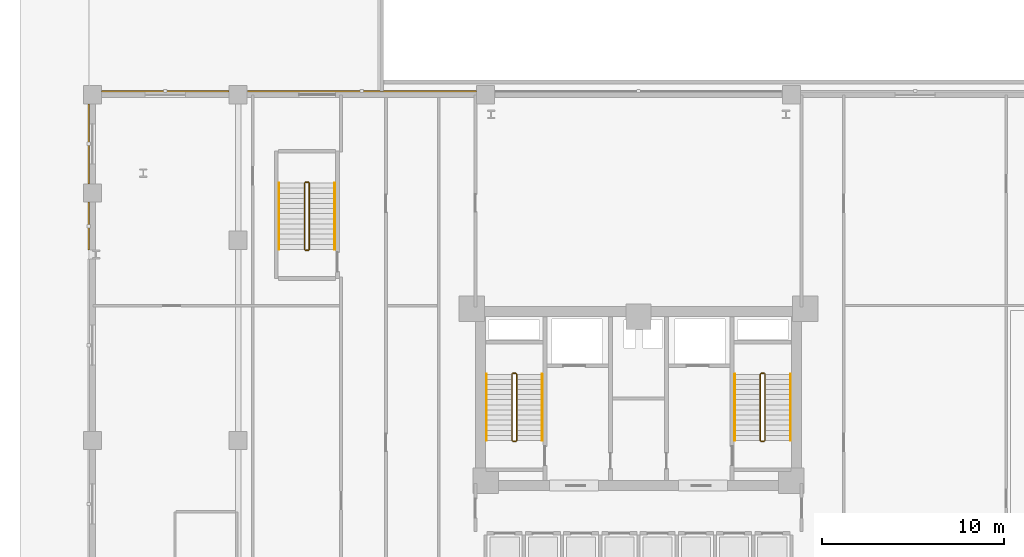
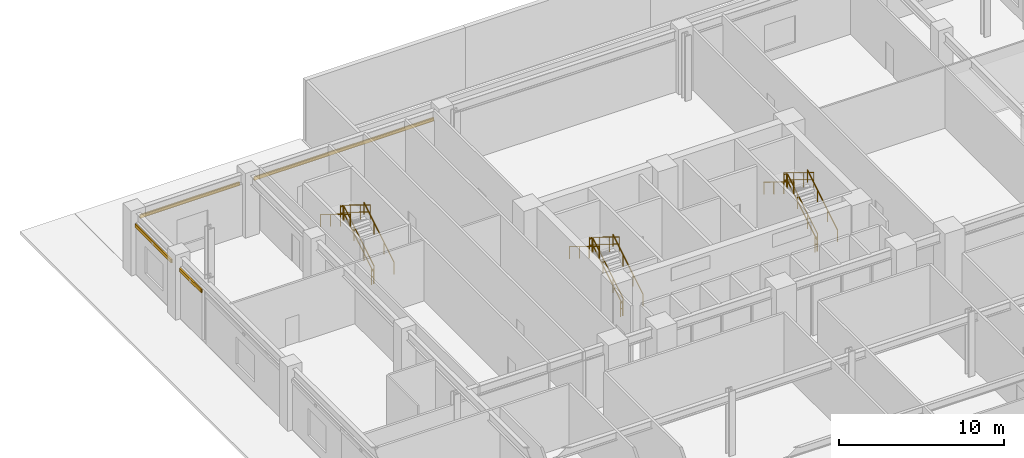
# One storey, part 36 of 40: 18 railings, 4 shading devices.
"""IFC4 building model written with IfcOpenShell, lengths in metres."""

from ifc_helpers import new_model, si_unit, derived_unit, direction, frame, origin, origin_2d, place, context, subcontext, project, spatial, hollow_rectangle, circle, extrude, source, transform, mapped, material, material_profile, profile_set, type_object, element, save


model = new_model("IFC4")

# Units and contexts
model_context = context("Model", 3, precision=1e-05, world=origin(), true_north=direction((0.0, 1.0)))
body_context = subcontext(model_context, "Body", "Model", "MODEL_VIEW")
ifc_project = project(units=[si_unit("LENGTHUNIT", "METRE"), si_unit("AREAUNIT", "SQUARE_METRE"), si_unit("VOLUMEUNIT", "CUBIC_METRE"), si_unit("PLANEANGLEUNIT", "RADIAN"), si_unit("MASSUNIT", "GRAM", prefix="KILO"), derived_unit("THERMALTRANSMITTANCEUNIT", [(si_unit("POWERUNIT", "WATT"), 1), (si_unit("LENGTHUNIT", "METRE"), -2), (si_unit("THERMODYNAMICTEMPERATUREUNIT", "KELVIN"), -1)])], contexts=[model_context])

# Site, building, storey
site_placement = place(None, origin())
site = spatial("IfcSite", under=ifc_project, at=site_placement, CompositionType="ELEMENT")
building_placement = place(site_placement, origin())
building = spatial("IfcBuilding", under=site, at=building_placement, Name="Korsvarv Bourse and Concert Hall", CompositionType="ELEMENT")
storey_placement = place(building_placement, origin())
storey = spatial("IfcBuildingStorey", under=building, at=storey_placement, Name="L00", CompositionType="ELEMENT", Elevation=0.0)

# Railings
ifc_material_1 = material(Name="Painted Steel S355 stair well guardrail", Category="steel")
railing_type_1 = type_object("IfcRailingType", Name="RL-ST-GRD", PredefinedType="GUARDRAIL", material=ifc_material_1)
railing_1_placement = place(storey_placement, frame((29.31005859375, 40.0, 0.17138671875)))
element("IfcRailing", 1, at=railing_1_placement, inside=storey, type_object=railing_type_1, Name="L00 ST-T1 stair guard 1", PredefinedType="GUARDRAIL", context=body_context, shape_type="SweptSolid", body=[
    extrude(circle(Radius=0.02392578125, at=origin_2d()), frame((0.0, 0.0, 1.076171875), z_axis=(0.0, 0.852850264322, 0.5221555579), x_axis=(-1.0, 0.0, 0.0)), (0.0, 0.0, 1.0), 4.267822265625),
    extrude(circle(Radius=0.02392578125, at=origin_2d()), frame((0.0, 0.0, 0.550048828125), z_axis=(0.0, 0.852850264322, 0.5221555579), x_axis=(-1.0, 0.0, 0.0)), (0.0, 0.0, 1.0), 4.267822265625),
    extrude(circle(Radius=0.02099609375, at=origin_2d()), origin(), (0.0, 0.0, 1.0), 1.052001953125),
    extrude(circle(Radius=0.02099609375, at=origin_2d()), frame((0.0, 1.21337890625, 0.742919921875)), (0.0, 0.0, 1.0), 1.052001953125),
    extrude(circle(Radius=0.02099609375, at=origin_2d()), frame((0.0, 2.426513671875, 1.485595703125)), (0.0, 0.0, 1.0), 1.052001953125),
    extrude(circle(Radius=0.02099609375, at=origin_2d()), frame((0.0, 3.639892578125, 2.228515625)), (0.0, 0.0, 1.0), 1.052001953125),
])
railing_2_placement = place(storey_placement, frame((29.260009765625, 43.68994140625, 2.39990234375)))
element("IfcRailing", 2, at=railing_2_placement, inside=storey, type_object=railing_type_1, Name="L00 ST-T1 stair guard 2", PredefinedType="GUARDRAIL", context=body_context, shape_type="SweptSolid", body=[
    extrude(circle(Radius=0.02392578125, at=origin_2d()), frame((0.0, 0.0, 1.076171875), z_axis=(-1.0, 0.0, 0.0), x_axis=(0.0, -1.0, 0.0)), (0.0, 0.0, 1.0), 0.159912109375),
    extrude(circle(Radius=0.02392578125, at=origin_2d()), frame((0.0, 0.0, 0.550048828125), z_axis=(-1.0, 0.0, 0.0), x_axis=(0.0, -1.0, 0.0)), (0.0, 0.0, 1.0), 0.159912109375),
    extrude(circle(Radius=0.02099609375, at=origin_2d()), origin(), (0.0, 0.0, 1.0), 1.052001953125),
    extrude(circle(Radius=0.02099609375, at=origin_2d()), frame((-0.159912109375, 0.0, 0.0)), (0.0, 0.0, 1.0), 1.052001953125),
])
railing_3_placement = place(storey_placement, frame((29.050048828125, 43.639892578125, 2.571533203125)))
element("IfcRailing", 3, at=railing_3_placement, inside=storey, type_object=railing_type_1, Name="L00 ST-T1 stair guard 3", PredefinedType="GUARDRAIL", context=body_context, shape_type="SweptSolid", body=[
    extrude(circle(Radius=0.02392578125, at=origin_2d()), frame((0.0, 0.0, 1.076171875), z_axis=(0.0, -0.852850264322, 0.5221555579), x_axis=(1.0, 0.0, 0.0)), (0.0, 0.0, 1.0), 4.267822265625),
    extrude(circle(Radius=0.02392578125, at=origin_2d()), frame((0.0, 0.0, 0.550048828125), z_axis=(0.0, -0.852850264322, 0.5221555579), x_axis=(1.0, 0.0, 0.0)), (0.0, 0.0, 1.0), 4.267822265625),
    extrude(circle(Radius=0.02099609375, at=origin_2d()), origin(), (0.0, 0.0, 1.0), 1.052001953125),
    extrude(circle(Radius=0.02099609375, at=origin_2d()), frame((0.0, -1.21337890625, 0.742919921875)), (0.0, 0.0, 1.0), 1.052001953125),
    extrude(circle(Radius=0.02099609375, at=origin_2d()), frame((0.0, -2.426513671875, 1.485595703125)), (0.0, 0.0, 1.0), 1.052001953125),
    extrude(circle(Radius=0.02099609375, at=origin_2d()), frame((0.0, -3.639892578125, 2.228515625)), (0.0, 0.0, 1.0), 1.052001953125),
])
railing_4_placement = place(storey_placement, frame((29.260009765625, 39.949951171875, 0.0)))
element("IfcRailing", 4, at=railing_4_placement, inside=storey, type_object=railing_type_1, Name="L00 ST-T1 stair guard 4", PredefinedType="GUARDRAIL", context=body_context, shape_type="SweptSolid", body=[
    extrude(circle(Radius=0.02392578125, at=origin_2d()), frame((0.0, 0.0, 1.076171875), z_axis=(-1.0, 0.0, 0.0), x_axis=(0.0, -1.0, 0.0)), (0.0, 0.0, 1.0), 0.159912109375),
    extrude(circle(Radius=0.02392578125, at=origin_2d()), frame((0.0, 0.0, 0.550048828125), z_axis=(-1.0, 0.0, 0.0), x_axis=(0.0, -1.0, 0.0)), (0.0, 0.0, 1.0), 0.159912109375),
    extrude(circle(Radius=0.02099609375, at=origin_2d()), origin(), (0.0, 0.0, 1.0), 1.052001953125),
    extrude(circle(Radius=0.02099609375, at=origin_2d()), frame((-0.159912109375, 0.0, 0.0)), (0.0, 0.0, 1.0), 1.052001953125),
])
railing_5_placement = place(storey_placement, frame((42.949951171875, 40.0, 0.17138671875)))
element("IfcRailing", 5, at=railing_5_placement, inside=storey, type_object=railing_type_1, Name="L00 ST-T2 stair guard 1", PredefinedType="GUARDRAIL", context=body_context, shape_type="SweptSolid", body=[
    extrude(circle(Radius=0.02392578125, at=origin_2d()), frame((0.0, 0.0, 1.076171875), z_axis=(0.0, 0.852850264322, 0.5221555579), x_axis=(-1.0, 0.0, 0.0)), (0.0, 0.0, 1.0), 4.267822265625),
    extrude(circle(Radius=0.02392578125, at=origin_2d()), frame((0.0, 0.0, 0.550048828125), z_axis=(0.0, 0.852850264322, 0.5221555579), x_axis=(-1.0, 0.0, 0.0)), (0.0, 0.0, 1.0), 4.267822265625),
    extrude(circle(Radius=0.02099609375, at=origin_2d()), origin(), (0.0, 0.0, 1.0), 1.052001953125),
    extrude(circle(Radius=0.02099609375, at=origin_2d()), frame((0.0, 1.21337890625, 0.742919921875)), (0.0, 0.0, 1.0), 1.052001953125),
    extrude(circle(Radius=0.02099609375, at=origin_2d()), frame((0.0, 2.426513671875, 1.485595703125)), (0.0, 0.0, 1.0), 1.052001953125),
    extrude(circle(Radius=0.02099609375, at=origin_2d()), frame((0.0, 3.639892578125, 2.228515625)), (0.0, 0.0, 1.0), 1.052001953125),
])
railing_6_placement = place(storey_placement, frame((42.89990234375, 43.68994140625, 2.39990234375)))
element("IfcRailing", 6, at=railing_6_placement, inside=storey, type_object=railing_type_1, Name="L00 ST-T2 stair guard 2", PredefinedType="GUARDRAIL", context=body_context, shape_type="SweptSolid", body=[
    extrude(circle(Radius=0.02392578125, at=origin_2d()), frame((0.0, 0.0, 1.076171875), z_axis=(-1.0, 0.0, 0.0), x_axis=(0.0, -1.0, 0.0)), (0.0, 0.0, 1.0), 0.159912109375),
    extrude(circle(Radius=0.02392578125, at=origin_2d()), frame((0.0, 0.0, 0.550048828125), z_axis=(-1.0, 0.0, 0.0), x_axis=(0.0, -1.0, 0.0)), (0.0, 0.0, 1.0), 0.159912109375),
    extrude(circle(Radius=0.02099609375, at=origin_2d()), origin(), (0.0, 0.0, 1.0), 1.052001953125),
    extrude(circle(Radius=0.02099609375, at=origin_2d()), frame((-0.159912109375, 0.0, 0.0)), (0.0, 0.0, 1.0), 1.052001953125),
])
railing_7_placement = place(storey_placement, frame((42.68994140625, 43.639892578125, 2.571533203125)))
element("IfcRailing", 7, at=railing_7_placement, inside=storey, type_object=railing_type_1, Name="L00 ST-T2 stair guard 3", PredefinedType="GUARDRAIL", context=body_context, shape_type="SweptSolid", body=[
    extrude(circle(Radius=0.02392578125, at=origin_2d()), frame((0.0, 0.0, 1.076171875), z_axis=(0.0, -0.852850264322, 0.5221555579), x_axis=(1.0, 0.0, 0.0)), (0.0, 0.0, 1.0), 4.267822265625),
    extrude(circle(Radius=0.02392578125, at=origin_2d()), frame((0.0, 0.0, 0.550048828125), z_axis=(0.0, -0.852850264322, 0.5221555579), x_axis=(1.0, 0.0, 0.0)), (0.0, 0.0, 1.0), 4.267822265625),
    extrude(circle(Radius=0.02099609375, at=origin_2d()), origin(), (0.0, 0.0, 1.0), 1.052001953125),
    extrude(circle(Radius=0.02099609375, at=origin_2d()), frame((0.0, -1.21337890625, 0.742919921875)), (0.0, 0.0, 1.0), 1.052001953125),
    extrude(circle(Radius=0.02099609375, at=origin_2d()), frame((0.0, -2.426513671875, 1.485595703125)), (0.0, 0.0, 1.0), 1.052001953125),
    extrude(circle(Radius=0.02099609375, at=origin_2d()), frame((0.0, -3.639892578125, 2.228515625)), (0.0, 0.0, 1.0), 1.052001953125),
])
railing_8_placement = place(storey_placement, frame((42.89990234375, 39.949951171875, 0.0)))
element("IfcRailing", 8, at=railing_8_placement, inside=storey, type_object=railing_type_1, Name="L00 ST-T2 stair guard 4", PredefinedType="GUARDRAIL", context=body_context, shape_type="SweptSolid", body=[
    extrude(circle(Radius=0.02392578125, at=origin_2d()), frame((0.0, 0.0, 1.076171875), z_axis=(-1.0, 0.0, 0.0), x_axis=(0.0, -1.0, 0.0)), (0.0, 0.0, 1.0), 0.159912109375),
    extrude(circle(Radius=0.02392578125, at=origin_2d()), frame((0.0, 0.0, 0.550048828125), z_axis=(-1.0, 0.0, 0.0), x_axis=(0.0, -1.0, 0.0)), (0.0, 0.0, 1.0), 0.159912109375),
    extrude(circle(Radius=0.02099609375, at=origin_2d()), origin(), (0.0, 0.0, 1.0), 1.052001953125),
    extrude(circle(Radius=0.02099609375, at=origin_2d()), frame((-0.159912109375, 0.0, 0.0)), (0.0, 0.0, 1.0), 1.052001953125),
])
railing_9_placement = place(storey_placement, frame((17.909912109375, 50.5, 0.17138671875)))
element("IfcRailing", 9, at=railing_9_placement, inside=storey, type_object=railing_type_1, Name="L00 ST-PD1 stair guard 1", PredefinedType="GUARDRAIL", context=body_context, shape_type="SweptSolid", body=[
    extrude(circle(Radius=0.02392578125, at=origin_2d()), frame((0.0, 0.0, 1.076171875), z_axis=(0.0, 0.852850264322, 0.5221555579), x_axis=(-1.0, 0.0, 0.0)), (0.0, 0.0, 1.0), 4.267822265625),
    extrude(circle(Radius=0.02392578125, at=origin_2d()), frame((0.0, 0.0, 0.550048828125), z_axis=(0.0, 0.852850264322, 0.5221555579), x_axis=(-1.0, 0.0, 0.0)), (0.0, 0.0, 1.0), 4.267822265625),
    extrude(circle(Radius=0.02099609375, at=origin_2d()), origin(), (0.0, 0.0, 1.0), 1.052001953125),
    extrude(circle(Radius=0.02099609375, at=origin_2d()), frame((0.0, 1.21337890625, 0.742919921875)), (0.0, 0.0, 1.0), 1.052001953125),
    extrude(circle(Radius=0.02099609375, at=origin_2d()), frame((0.0, 2.426513671875, 1.485595703125)), (0.0, 0.0, 1.0), 1.052001953125),
    extrude(circle(Radius=0.02099609375, at=origin_2d()), frame((0.0, 3.639892578125, 2.228515625)), (0.0, 0.0, 1.0), 1.052001953125),
])
railing_10_placement = place(storey_placement, frame((17.860107421875, 54.18994140625, 2.39990234375)))
element("IfcRailing", 10, at=railing_10_placement, inside=storey, type_object=railing_type_1, Name="L00 ST-PD1 stair guard 2", PredefinedType="GUARDRAIL", context=body_context, shape_type="SweptSolid", body=[
    extrude(circle(Radius=0.02392578125, at=origin_2d()), frame((0.0, 0.0, 1.076171875), z_axis=(-1.0, 0.0, 0.0), x_axis=(0.0, -1.0, 0.0)), (0.0, 0.0, 1.0), 0.16015625),
    extrude(circle(Radius=0.02392578125, at=origin_2d()), frame((0.0, 0.0, 0.550048828125), z_axis=(-1.0, 0.0, 0.0), x_axis=(0.0, -1.0, 0.0)), (0.0, 0.0, 1.0), 0.16015625),
    extrude(circle(Radius=0.02099609375, at=origin_2d()), origin(), (0.0, 0.0, 1.0), 1.052001953125),
    extrude(circle(Radius=0.02099609375, at=origin_2d()), frame((-0.16015625, 0.0, 0.0)), (0.0, 0.0, 1.0), 1.052001953125),
])
railing_11_placement = place(storey_placement, frame((17.64990234375, 54.139892578125, 2.571533203125)))
element("IfcRailing", 11, at=railing_11_placement, inside=storey, type_object=railing_type_1, Name="L00 ST-PD1 stair guard 3", PredefinedType="GUARDRAIL", context=body_context, shape_type="SweptSolid", body=[
    extrude(circle(Radius=0.02392578125, at=origin_2d()), frame((0.0, 0.0, 1.076171875), z_axis=(0.0, -0.852850264322, 0.5221555579), x_axis=(1.0, 0.0, 0.0)), (0.0, 0.0, 1.0), 4.267822265625),
    extrude(circle(Radius=0.02392578125, at=origin_2d()), frame((0.0, 0.0, 0.550048828125), z_axis=(0.0, -0.852850264322, 0.5221555579), x_axis=(1.0, 0.0, 0.0)), (0.0, 0.0, 1.0), 4.267822265625),
    extrude(circle(Radius=0.02099609375, at=origin_2d()), origin(), (0.0, 0.0, 1.0), 1.052001953125),
    extrude(circle(Radius=0.02099609375, at=origin_2d()), frame((0.0, -1.21337890625, 0.742919921875)), (0.0, 0.0, 1.0), 1.052001953125),
    extrude(circle(Radius=0.02099609375, at=origin_2d()), frame((0.0, -2.426513671875, 1.485595703125)), (0.0, 0.0, 1.0), 1.052001953125),
    extrude(circle(Radius=0.02099609375, at=origin_2d()), frame((0.0, -3.639892578125, 2.228515625)), (0.0, 0.0, 1.0), 1.052001953125),
])
railing_12_placement = place(storey_placement, frame((17.860107421875, 50.449951171875, 0.0)))
element("IfcRailing", 12, at=railing_12_placement, inside=storey, type_object=railing_type_1, Name="L00 ST-PD1 stair guard 4", PredefinedType="GUARDRAIL", context=body_context, shape_type="SweptSolid", body=[
    extrude(circle(Radius=0.02392578125, at=origin_2d()), frame((0.0, 0.0, 1.076171875), z_axis=(-1.0, 0.0, 0.0), x_axis=(0.0, -1.0, 0.0)), (0.0, 0.0, 1.0), 0.16015625),
    extrude(circle(Radius=0.02392578125, at=origin_2d()), frame((0.0, 0.0, 0.550048828125), z_axis=(-1.0, 0.0, 0.0), x_axis=(0.0, -1.0, 0.0)), (0.0, 0.0, 1.0), 0.16015625),
    extrude(circle(Radius=0.02099609375, at=origin_2d()), origin(), (0.0, 0.0, 1.0), 1.052001953125),
    extrude(circle(Radius=0.02099609375, at=origin_2d()), frame((-0.16015625, 0.0, 0.0)), (0.0, 0.0, 1.0), 1.052001953125),
])
ifc_material_2 = material(Name="Brushed stainless Steel S355 tubular handrail", Category="steel")
railing_type_2 = type_object("IfcRailingType", Name="RL-ST-HND", PredefinedType="HANDRAIL", material=ifc_material_2)
railing_13_placement = place(storey_placement, frame((30.7099609375, 40.0, 0.17138671875)))
element("IfcRailing", 13, at=railing_13_placement, inside=storey, type_object=railing_type_2, Name="L00 ST-T1 stair handrail 1", PredefinedType="HANDRAIL", context=body_context, shape_type="SweptSolid", body=[
    extrude(circle(Radius=0.02392578125, at=origin_2d()), frame((0.0, 0.0, 0.8759765625), z_axis=(0.0, 0.852850264322, 0.5221555579), x_axis=(-1.0, 0.0, 0.0)), (0.0, 0.0, 1.0), 4.267822265625),
    extrude(circle(Radius=0.02099609375, at=origin_2d()), origin(), (0.0, 0.0, 1.0), 0.851806640625),
    extrude(circle(Radius=0.02099609375, at=origin_2d()), frame((0.0, 1.21337890625, 0.742919921875)), (0.0, 0.0, 1.0), 0.851806640625),
    extrude(circle(Radius=0.02099609375, at=origin_2d()), frame((0.0, 2.426513671875, 1.485595703125)), (0.0, 0.0, 1.0), 0.851806640625),
    extrude(circle(Radius=0.02099609375, at=origin_2d()), frame((0.0, 3.639892578125, 2.228515625)), (0.0, 0.0, 1.0), 0.851806640625),
])
railing_14_placement = place(storey_placement, frame((27.64990234375, 43.639892578125, 2.571533203125)))
element("IfcRailing", 14, at=railing_14_placement, inside=storey, type_object=railing_type_2, Name="L00 ST-T1 stair handrail 2", PredefinedType="HANDRAIL", context=body_context, shape_type="SweptSolid", body=[
    extrude(circle(Radius=0.02392578125, at=origin_2d()), frame((0.0, 0.0, 0.8759765625), z_axis=(0.0, -0.852850264322, 0.5221555579), x_axis=(1.0, 0.0, 0.0)), (0.0, 0.0, 1.0), 4.267822265625),
    extrude(circle(Radius=0.02099609375, at=origin_2d()), origin(), (0.0, 0.0, 1.0), 0.851806640625),
    extrude(circle(Radius=0.02099609375, at=origin_2d()), frame((0.0, -1.21337890625, 0.742919921875)), (0.0, 0.0, 1.0), 0.851806640625),
    extrude(circle(Radius=0.02099609375, at=origin_2d()), frame((0.0, -2.426513671875, 1.485595703125)), (0.0, 0.0, 1.0), 0.851806640625),
    extrude(circle(Radius=0.02099609375, at=origin_2d()), frame((0.0, -3.639892578125, 2.228515625)), (0.0, 0.0, 1.0), 0.851806640625),
])
railing_15_placement = place(storey_placement, frame((44.35009765625, 40.0, 0.17138671875)))
element("IfcRailing", 15, at=railing_15_placement, inside=storey, type_object=railing_type_2, Name="L00 ST-T2 stair handrail 1", PredefinedType="HANDRAIL", context=body_context, shape_type="SweptSolid", body=[
    extrude(circle(Radius=0.02392578125, at=origin_2d()), frame((0.0, 0.0, 0.8759765625), z_axis=(0.0, 0.852850264322, 0.5221555579), x_axis=(-1.0, 0.0, 0.0)), (0.0, 0.0, 1.0), 4.267822265625),
    extrude(circle(Radius=0.02099609375, at=origin_2d()), origin(), (0.0, 0.0, 1.0), 0.851806640625),
    extrude(circle(Radius=0.02099609375, at=origin_2d()), frame((0.0, 1.21337890625, 0.742919921875)), (0.0, 0.0, 1.0), 0.851806640625),
    extrude(circle(Radius=0.02099609375, at=origin_2d()), frame((0.0, 2.426513671875, 1.485595703125)), (0.0, 0.0, 1.0), 0.851806640625),
    extrude(circle(Radius=0.02099609375, at=origin_2d()), frame((0.0, 3.639892578125, 2.228515625)), (0.0, 0.0, 1.0), 0.851806640625),
])
railing_16_placement = place(storey_placement, frame((41.2900390625, 43.639892578125, 2.571533203125)))
element("IfcRailing", 16, at=railing_16_placement, inside=storey, type_object=railing_type_2, Name="L00 ST-T2 stair handrail 2", PredefinedType="HANDRAIL", context=body_context, shape_type="SweptSolid", body=[
    extrude(circle(Radius=0.02392578125, at=origin_2d()), frame((0.0, 0.0, 0.8759765625), z_axis=(0.0, -0.852850264322, 0.5221555579), x_axis=(1.0, 0.0, 0.0)), (0.0, 0.0, 1.0), 4.267822265625),
    extrude(circle(Radius=0.02099609375, at=origin_2d()), origin(), (0.0, 0.0, 1.0), 0.851806640625),
    extrude(circle(Radius=0.02099609375, at=origin_2d()), frame((0.0, -1.21337890625, 0.742919921875)), (0.0, 0.0, 1.0), 0.851806640625),
    extrude(circle(Radius=0.02099609375, at=origin_2d()), frame((0.0, -2.426513671875, 1.485595703125)), (0.0, 0.0, 1.0), 0.851806640625),
    extrude(circle(Radius=0.02099609375, at=origin_2d()), frame((0.0, -3.639892578125, 2.228515625)), (0.0, 0.0, 1.0), 0.851806640625),
])
railing_17_placement = place(storey_placement, frame((19.31005859375, 50.5, 0.17138671875)))
element("IfcRailing", 17, at=railing_17_placement, inside=storey, type_object=railing_type_2, Name="L00 ST-PD1 stair handrail 1", PredefinedType="HANDRAIL", context=body_context, shape_type="SweptSolid", body=[
    extrude(circle(Radius=0.02392578125, at=origin_2d()), frame((0.0, 0.0, 0.8759765625), z_axis=(0.0, 0.852850264322, 0.5221555579), x_axis=(-1.0, 0.0, 0.0)), (0.0, 0.0, 1.0), 4.267822265625),
    extrude(circle(Radius=0.02099609375, at=origin_2d()), origin(), (0.0, 0.0, 1.0), 0.851806640625),
    extrude(circle(Radius=0.02099609375, at=origin_2d()), frame((0.0, 1.21337890625, 0.742919921875)), (0.0, 0.0, 1.0), 0.851806640625),
    extrude(circle(Radius=0.02099609375, at=origin_2d()), frame((0.0, 2.426513671875, 1.485595703125)), (0.0, 0.0, 1.0), 0.851806640625),
    extrude(circle(Radius=0.02099609375, at=origin_2d()), frame((0.0, 3.639892578125, 2.228515625)), (0.0, 0.0, 1.0), 0.851806640625),
])
railing_18_placement = place(storey_placement, frame((16.25, 54.139892578125, 2.571533203125)))
element("IfcRailing", 18, at=railing_18_placement, inside=storey, type_object=railing_type_2, Name="L00 ST-PD1 stair handrail 2", PredefinedType="HANDRAIL", context=body_context, shape_type="SweptSolid", body=[
    extrude(circle(Radius=0.02392578125, at=origin_2d()), frame((0.0, 0.0, 0.8759765625), z_axis=(0.0, -0.852850264322, 0.5221555579), x_axis=(1.0, 0.0, 0.0)), (0.0, 0.0, 1.0), 4.267822265625),
    extrude(circle(Radius=0.02099609375, at=origin_2d()), origin(), (0.0, 0.0, 1.0), 0.851806640625),
    extrude(circle(Radius=0.02099609375, at=origin_2d()), frame((0.0, -1.21337890625, 0.742919921875)), (0.0, 0.0, 1.0), 0.851806640625),
    extrude(circle(Radius=0.02099609375, at=origin_2d()), frame((0.0, -2.426513671875, 1.485595703125)), (0.0, 0.0, 1.0), 0.851806640625),
    extrude(circle(Radius=0.02099609375, at=origin_2d()), frame((0.0, -3.639892578125, 2.228515625)), (0.0, 0.0, 1.0), 0.851806640625),
])

# Shading devices
ifc_material_3 = material(Name="Glazed extruded architectural terracotta", Category="ceramic")
ifc_material_profile = material_profile(ifc_material_3, hollow_rectangle(XDim=0.090087890625, YDim=0.260009765625, WallThickness=0.011962890625, at=origin_2d()), Name="TC-BAG 90x260")
ifc_profile_set = profile_set([ifc_material_profile], Name="Glazed extruded architectural terracotta")
shading_device_type = type_object("IfcShadingDeviceType", Name="SHD-BAG-1", PredefinedType="USERDEFINED", material=ifc_profile_set)
shared_shape_1 = source(origin(), body_context, "Body", "SweptSolid", [
    extrude(hollow_rectangle(XDim=0.090087890625, YDim=0.260009765625, WallThickness=0.011962890625, at=origin_2d()), origin(), (0.0, 0.0, 1.0), 12.590087890625),
])
shading_device_1_placement = place(storey_placement, frame((14.5048828125, 59.195068359375, 3.659912109375), z_axis=(1.0, 0.0, 0.0), x_axis=(0.0, 1.0, 0.0)))
element("IfcShadingDevice", 19, at=shading_device_1_placement, inside=storey, type_object=shading_device_type, Name="L00 terracotta baguette sunshade EW-L00-N2", ObjectType="BAGUETTE", PredefinedType="USERDEFINED", context=body_context, shape_type="MappedRepresentation", body=[
    mapped(shared_shape_1, transform((0.0, 0.0, 0.0), scale=1.0)),
])
shared_shape_2 = source(origin(), body_context, "Body", "SweptSolid", [
    extrude(hollow_rectangle(XDim=0.090087890625, YDim=0.260009765625, WallThickness=0.011962890625, at=origin_2d()), origin(), (0.0, 0.0, 1.0), 6.990234375),
])
shading_device_2_placement = place(storey_placement, frame((6.5048828125, 59.195068359375, 3.659912109375), z_axis=(1.0, 0.0, 0.0), x_axis=(0.0, 1.0, 0.0)))
element("IfcShadingDevice", 20, at=shading_device_2_placement, inside=storey, type_object=shading_device_type, Name="L00 terracotta baguette sunshade EW-L00-N1", ObjectType="BAGUETTE", PredefinedType="USERDEFINED", context=body_context, shape_type="MappedRepresentation", body=[
    mapped(shared_shape_2, transform((0.0, 0.0, 0.0), scale=1.0)),
])
shared_shape_3 = source(origin(), body_context, "Body", "SweptSolid", [
    extrude(hollow_rectangle(XDim=0.090087890625, YDim=0.260009765625, WallThickness=0.011962890625, at=origin_2d()), origin(), (0.0, 0.0, 1.0), 2.6357421875),
])
shading_device_3_placement = place(storey_placement, frame((5.804931640625, 50.459228515625, 3.659912109375), z_axis=(0.0, 1.0, 0.0), x_axis=(-1.0, 0.0, 0.0)))
element("IfcShadingDevice", 21, at=shading_device_3_placement, inside=storey, type_object=shading_device_type, Name="L00 terracotta baguette sunshade EW-L00-W5-2", ObjectType="BAGUETTE", PredefinedType="USERDEFINED", context=body_context, shape_type="MappedRepresentation", body=[
    mapped(shared_shape_3, transform((0.0, 0.0, 0.0), scale=1.0)),
])
shared_shape_4 = source(origin(), body_context, "Body", "SweptSolid", [
    extrude(hollow_rectangle(XDim=0.090087890625, YDim=0.260009765625, WallThickness=0.011962890625, at=origin_2d()), origin(), (0.0, 0.0, 1.0), 4.39013671875),
])
shading_device_4_placement = place(storey_placement, frame((5.804931640625, 54.10498046875, 3.659912109375), z_axis=(0.0, 1.0, 0.0), x_axis=(-1.0, 0.0, 0.0)))
element("IfcShadingDevice", 22, at=shading_device_4_placement, inside=storey, type_object=shading_device_type, Name="L00 terracotta baguette sunshade EW-L00-W6", ObjectType="BAGUETTE", PredefinedType="USERDEFINED", context=body_context, shape_type="MappedRepresentation", body=[
    mapped(shared_shape_4, transform((0.0, 0.0, 0.0), scale=1.0)),
])

save(model, "model.ifc")
